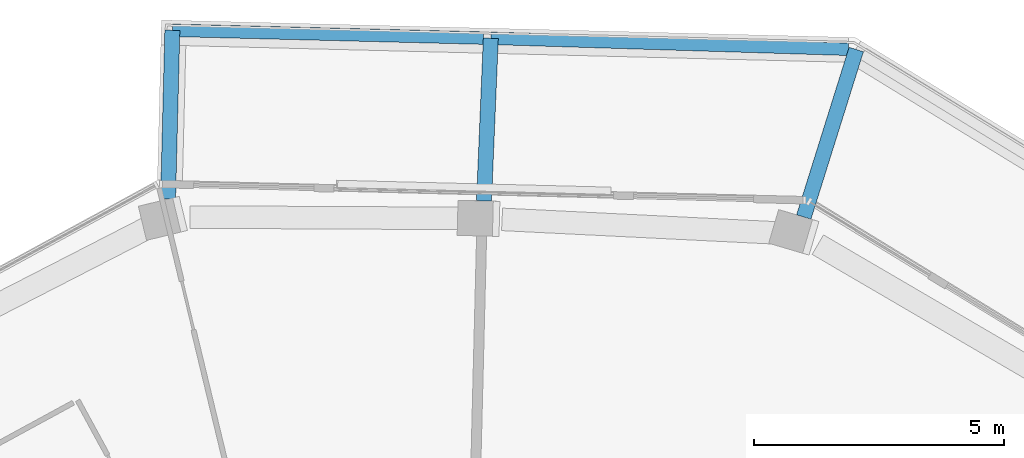
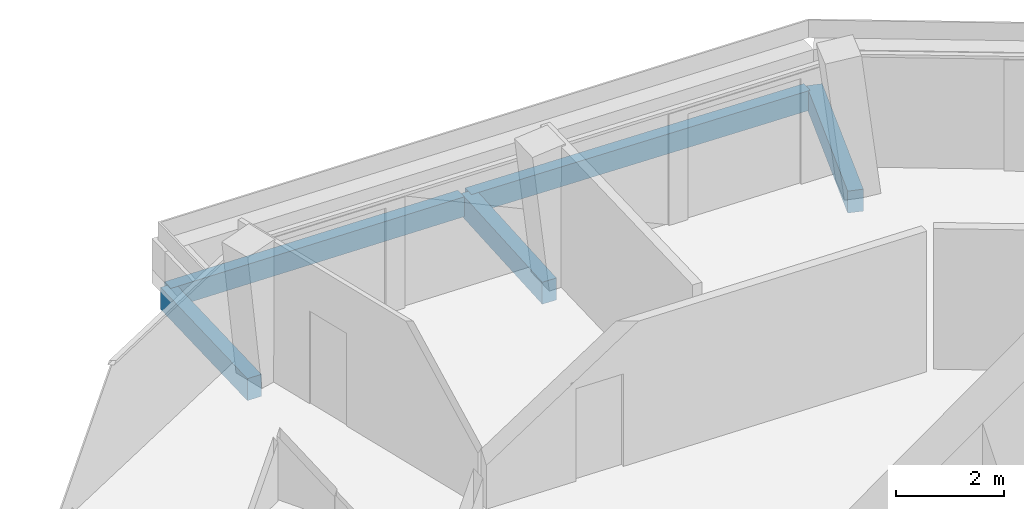
# One storey, part 10 of 24: 5 beams.
"""IFC4 building model written with IfcOpenShell, lengths in metres."""

from ifc_helpers import new_model, si_unit, direction, frame, origin, origin_2d, place, context, subcontext, project, spatial, rectangle, extrude, material, material_profile, profile_set, type_object, element, save


model = new_model("IFC4")

# Units and contexts
model_context = context("Model", 3, precision=1e-05, world=origin(), true_north=direction((0.0, 1.0)))
body_context = subcontext(model_context, "Body", "Model", "MODEL_VIEW")
ifc_project = project(units=[si_unit("LENGTHUNIT", "METRE"), si_unit("AREAUNIT", "SQUARE_METRE"), si_unit("VOLUMEUNIT", "CUBIC_METRE"), si_unit("PLANEANGLEUNIT", "RADIAN"), si_unit("MASSUNIT", "GRAM", prefix="KILO")], contexts=[model_context])

# Site, building, storey
site_placement = place(None, origin())
site = spatial("IfcSite", under=ifc_project, at=site_placement, CompositionType="ELEMENT")
building_placement = place(site_placement, origin())
building = spatial("IfcBuilding", under=site, at=building_placement, Name="Verdalira Terraces Hotel", CompositionType="ELEMENT")
storey_placement = place(building_placement, frame((0.0, 0.0, 274.0)))
storey = spatial("IfcBuildingStorey", under=building, at=storey_placement, Name="L67", CompositionType="ELEMENT", Elevation=274.0)

# Beams
ifc_material_1 = material(Name="Concrete C40", Category="concrete")
ifc_material_profile_1 = material_profile(ifc_material_1, rectangle(XDim=0.300049, YDim=0.5, at=origin_2d()), Name="RC 300X500")
ifc_profile_set_1 = profile_set([ifc_material_profile_1], Name="Concrete C40")
beam_type_1 = type_object("IfcBeamType", Name="Balcony cantilever beam RC 300X500 C40", PredefinedType="BEAM", material=ifc_profile_set_1)
beam_1_placement = place(storey_placement, frame((7.019531, 23.679199, -0.560059), z_axis=(0.299040388, 0.954240455, 0.0), x_axis=(-0.954240455, 0.299040388, 0.0)))
element("IfcBeam", 1, at=beam_1_placement, inside=storey, type_object=beam_type_1, Name="Balcony cantilever beam R39-3", PredefinedType="BEAM", context=body_context, shape_type="SweptSolid", body=[
    extrude(rectangle(XDim=0.300049, YDim=0.5, at=origin_2d()), origin(), (0.0, 0.0, 1.0), 3.504883),
])
beam_2_placement = place(storey_placement, frame((0.633789, 23.999756, -0.560059), z_axis=(0.041908575, 0.99912145, 0.0), x_axis=(-0.99912145, 0.041908575, 0.0)))
element("IfcBeam", 2, at=beam_2_placement, inside=storey, type_object=beam_type_1, Name="Balcony cantilever beam R39-4", PredefinedType="BEAM", context=body_context, shape_type="SweptSolid", body=[
    extrude(rectangle(XDim=0.300049, YDim=0.5, at=origin_2d()), origin(), (0.0, 0.0, 1.0), 3.250732),
])
beam_3_placement = place(storey_placement, frame((-5.675049, 24.035645, -0.560059), z_axis=(0.025189311, 0.999682699, 0.0), x_axis=(-0.999682699, 0.025189311, 0.0)))
element("IfcBeam", 3, at=beam_3_placement, inside=storey, type_object=beam_type_1, Name="Balcony cantilever beam R39-5", PredefinedType="BEAM", context=body_context, shape_type="SweptSolid", body=[
    extrude(rectangle(XDim=0.300049, YDim=0.5, at=origin_2d()), origin(), (0.0, 0.0, 1.0), 3.372803),
])
ifc_material_2 = material(Name="Concrete C40", Category="concrete")
ifc_material_profile_2 = material_profile(ifc_material_2, rectangle(XDim=0.25, YDim=0.449951, at=origin_2d()), Name="RC 250X450")
ifc_profile_set_2 = profile_set([ifc_material_profile_2], Name="Concrete C40")
beam_type_2 = type_object("IfcBeamType", Name="Balcony edge beam RC 250X450 C40", PredefinedType="BEAM", material=ifc_profile_set_2)
beam_4_placement = place(storey_placement, frame((7.912109, 27.02832, -0.534912), z_axis=(-0.99952919, 0.030682205, 0.0), x_axis=(-0.030682205, -0.99952919, 0.0)))
element("IfcBeam", 4, at=beam_4_placement, inside=storey, type_object=beam_type_2, Name="Balcony edge beam R39-3", PredefinedType="BEAM", context=body_context, shape_type="SweptSolid", body=[
    extrude(rectangle(XDim=0.25, YDim=0.449951, at=origin_2d()), origin(), (0.0, 0.0, 1.0), 7.145508),
])
beam_5_placement = place(storey_placement, frame((0.619873, 27.251465, -0.534912), z_axis=(-0.999684595, 0.025113951, 0.0), x_axis=(-0.025113951, -0.999684595, 0.0)))
element("IfcBeam", 5, at=beam_5_placement, inside=storey, type_object=beam_type_2, Name="Balcony edge beam R39-4", PredefinedType="BEAM", context=body_context, shape_type="SweptSolid", body=[
    extrude(rectangle(XDim=0.25, YDim=0.449951, at=origin_2d()), origin(), (0.0, 0.0, 1.0), 6.211914),
])

save(model, "model.ifc")
